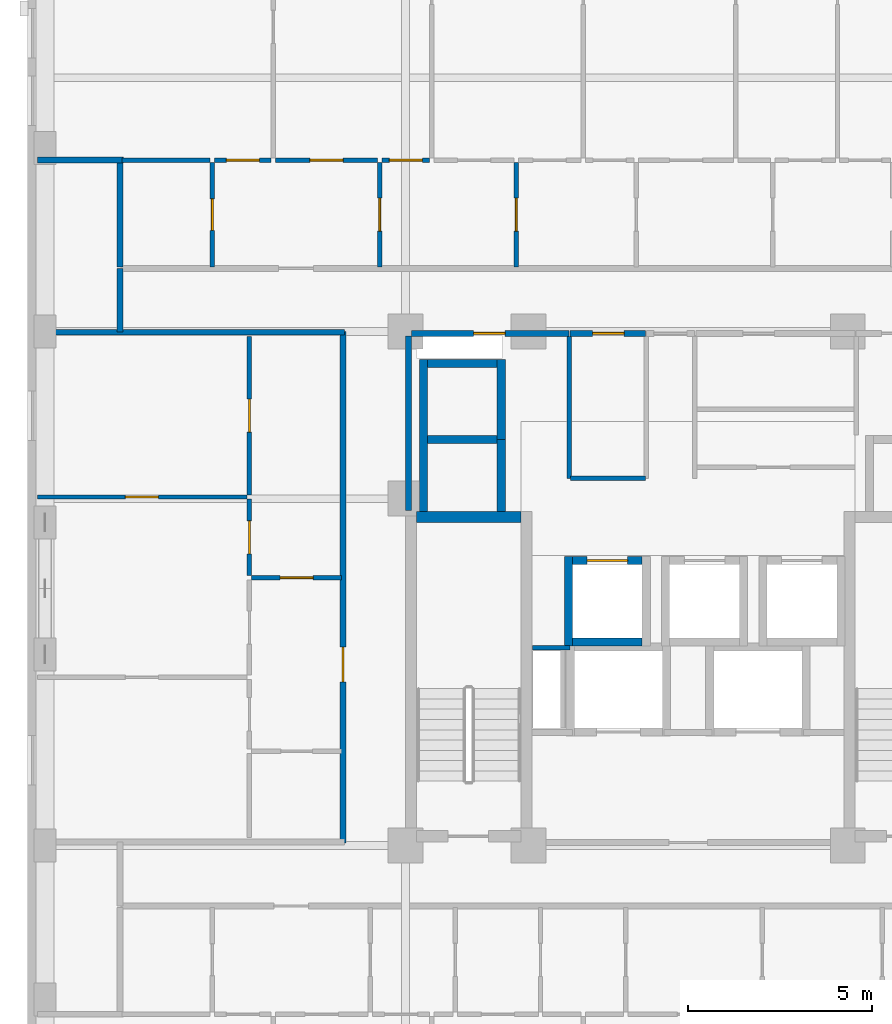
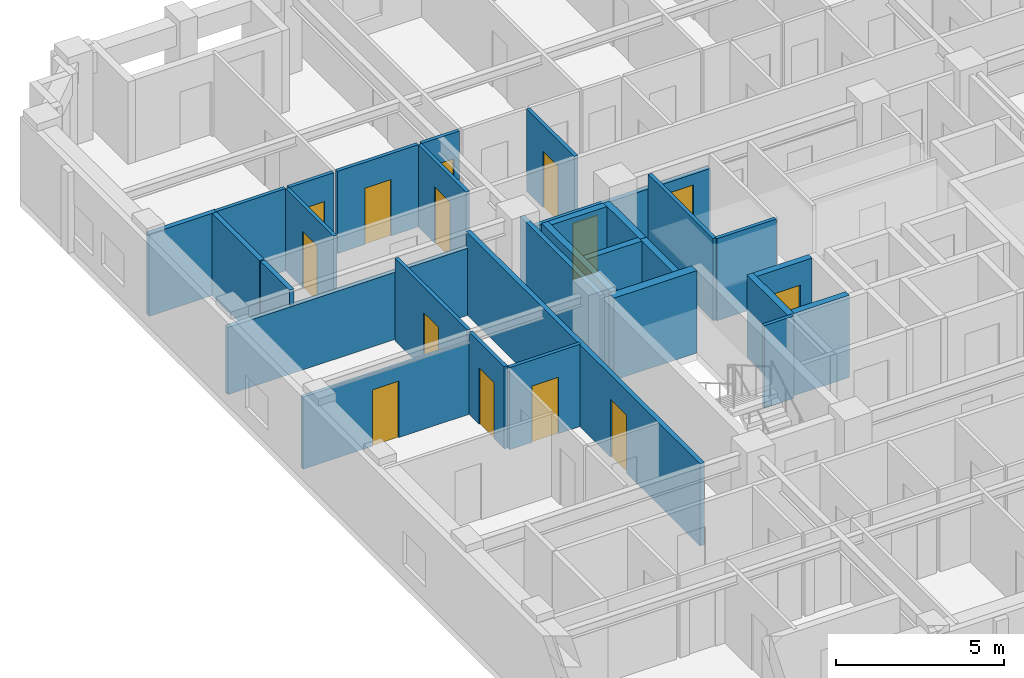
# One storey, part 5 of 11: 31 walls, 14 doors, 14 openings.
"""IFC4 building model written with IfcOpenShell, lengths in metres."""

from ifc_helpers import new_model, si_unit, derived_unit, direction, frame, frame_2d, origin, place, context, subcontext, project, spatial, rectangle, extrude, material, layer, layer_set, type_object, element, fill, save


model = new_model("IFC4")

# Units and contexts
model_context = context("Model", 3, precision=1e-05, world=origin(), true_north=direction((0.0, 1.0)))
body_context = subcontext(model_context, "Body", "Model", "MODEL_VIEW")
ifc_project = project(units=[si_unit("LENGTHUNIT", "METRE"), si_unit("AREAUNIT", "SQUARE_METRE"), si_unit("VOLUMEUNIT", "CUBIC_METRE"), si_unit("PLANEANGLEUNIT", "RADIAN"), si_unit("MASSUNIT", "GRAM", prefix="KILO"), derived_unit("THERMALTRANSMITTANCEUNIT", [(si_unit("MASSUNIT", "GRAM", prefix="KILO"), 1), (si_unit("TIMEUNIT", "SECOND"), -3), (si_unit("THERMODYNAMICTEMPERATUREUNIT", "KELVIN"), -1)])], contexts=[model_context])

# Site, building, storey
site_placement = place(None, origin())
site = spatial("IfcSite", under=ifc_project, at=site_placement, CompositionType="ELEMENT")
building_placement = place(site_placement, origin())
building = spatial("IfcBuilding", under=site, at=building_placement, Name="Korrvale Station Residences", CompositionType="ELEMENT")
storey_placement = place(building_placement, frame((0.0, 0.0, 150.39990234375)))
storey = spatial("IfcBuildingStorey", under=building, at=storey_placement, Name="L43", CompositionType="ELEMENT", Elevation=150.39990234375)

# Walls
ifc_material_1 = material(Name="Concrete C60/75", Category="concrete")
ifc_layer_1 = layer(ifc_material_1, 0.300048828125, Name="Concrete C60/75")
ifc_layer_set_1 = layer_set([ifc_layer_1], Name="Concrete C60/75")
wall_type_1 = type_object("IfcWallType", Name="WAL-CORE-300-C60", PredefinedType="SHEAR", material=ifc_layer_set_1)
wall_1_placement = place(storey_placement, frame((18.10009765625, 23.949951171875, 0.0), z_axis=(0.0, 0.0, 1.0), x_axis=(1.0, 0.0, 0.0)))
element("IfcWall", 1, at=wall_1_placement, inside=storey, type_object=wall_type_1, Name="L43 ST-1 Core Shear Wall North", PredefinedType="SHEAR", context=body_context, shape_type="SweptSolid", body=[
    extrude(rectangle(XDim=2.849853515625, YDim=0.300048828125, at=frame_2d((1.4248046875, 0.0))), origin(), (0.0, 0.0, 1.0), 2.989990234375),
])
ifc_material_2 = material(Name="Acoustic steel-stud gypsum board partition", Category="steel")
ifc_layer_2 = layer(ifc_material_2, 0.1201171875, Name="Acoustic steel-stud gypsum board partition")
ifc_layer_set_2 = layer_set([ifc_layer_2], Name="Acoustic steel-stud gypsum board partition")
wall_type_2 = type_object("IfcWallType", Name="WAL-PART-125", PredefinedType="PARTITIONING", material=ifc_layer_set_2)
wall_2_placement = place(storey_placement, frame((22.280029296875, 20.3798828125, 0.0), z_axis=(0.0, 0.0, 1.0), x_axis=(-1.0, 0.0, 0.0)))
element("IfcWall", 2, at=wall_2_placement, inside=storey, type_object=wall_type_2, Name="L43 Core Partition CW-RSWT-N", PredefinedType="PARTITIONING", context=body_context, shape_type="SweptSolid", body=[
    extrude(rectangle(XDim=1.02001953125, YDim=0.1201171875, at=frame_2d((0.510009765625, 0.0))), origin(), (0.0, 0.0, 1.0), 2.989990234375),
])
wall_3_placement = place(storey_placement, frame((22.260009765625, 25.0, 0.0), z_axis=(0.0, 0.0, 1.0), x_axis=(0.0, 1.0, 0.0)))
element("IfcWall", 3, at=wall_3_placement, inside=storey, type_object=wall_type_2, Name="L43 Core Partition CW-FPLW-W", PredefinedType="PARTITIONING", context=body_context, shape_type="SweptSolid", body=[
    extrude(rectangle(XDim=3.860107421875, YDim=0.1201171875, at=frame_2d((1.93017578125, 0.0))), origin(), (0.0, 0.0, 1.0), 2.989990234375),
])
wall_4_placement = place(storey_placement, frame((22.300048828125, 25.0, 0.0), z_axis=(0.0, 0.0, 1.0), x_axis=(1.0, 0.0, 0.0)))
element("IfcWall", 4, at=wall_4_placement, inside=storey, type_object=wall_type_2, Name="L43 Core Partition CW-FPLW-S", PredefinedType="PARTITIONING", context=body_context, shape_type="SweptSolid", body=[
    extrude(rectangle(XDim=2.0400390625, YDim=0.1201171875, at=frame_2d((1.02001953125, 0.0))), origin(), (0.0, 0.0, 1.0), 2.989990234375),
])

# Wall, opening, door
wall_5_placement = place(storey_placement, frame((12.5400390625, 30.760009765625, 0.0), z_axis=(0.0, 0.0, 1.0), x_axis=(0.0, 1.0, 0.0)))
wall_5 = element("IfcWall", 5, at=wall_5_placement, inside=storey, type_object=wall_type_2, Name="L43 Suite Partition U02-V01", PredefinedType="PARTITIONING", context=body_context, shape_type="SweptSolid", body=[
    extrude(rectangle(XDim=2.85009765625, YDim=0.1201171875, at=frame_2d((1.425048828125, 0.0))), origin(), (0.0, 0.0, 1.0), 2.989990234375),
])
opening_1_placement = place(wall_5_placement, frame((0.9951171875, 0.0, 0.0)))
opening_1 = element("IfcOpeningElement", 6, at=opening_1_placement, cuts=wall_5, Name="Opening DB-860", PredefinedType="OPENING", context=body_context, shape_type="SweptSolid", body=[
    extrude(rectangle(XDim=0.860107421875, YDim=2.050048828125, at=frame_2d((0.43017578125, 1.02490234375))), frame((0.0, 0.070068359375, 0.0), z_axis=(0.0, -1.0, 0.0), x_axis=(1.0, 0.0, 0.0)), (0.0, 0.0, 1.0), 0.14013671875),
])
ifc_material_3 = material(Name="Moisture-resistant solid-core bathroom door", Category="timber")
door_type_1 = type_object("IfcDoorType", Name="DR-BATH-860", OperationType="NOTDEFINED", PredefinedType="DOOR", material=ifc_material_3)
door_1_placement = place(opening_1_placement, origin())
door_1 = element("IfcDoor", 7, at=door_1_placement, inside=storey, type_object=door_type_1, Name="L43 Apartment 3BR L43-U02 Bathroom Door", OperationType="SINGLE_SWING_RIGHT", OverallHeight=2.050048828125, OverallWidth=0.860107421875, PredefinedType="DOOR", context=body_context, shape_type="SweptSolid", body=[
    extrude(rectangle(XDim=0.860107421875, YDim=2.050048828125, at=frame_2d((0.43017578125, 1.02490234375))), frame((0.0, 0.02490234375, 0.0), z_axis=(0.0, -1.0, 0.0), x_axis=(1.0, 0.0, 0.0)), (0.0, 0.0, 1.0), 0.050048828125),
])
fill(opening_1, door_1)

# Wall
wall_6_placement = place(storey_placement, frame((10.080078125, 33.669921875, 0.0), z_axis=(0.0, 0.0, 1.0), x_axis=(1.0, 0.0, 0.0)))
element("IfcWall", 8, at=wall_6_placement, inside=storey, type_object=wall_type_2, Name="L43 Suite Partition U02-H08", PredefinedType="PARTITIONING", context=body_context, shape_type="SweptSolid", body=[
    extrude(rectangle(XDim=2.39990234375, YDim=0.1201171875, at=frame_2d((1.199951171875, 0.0))), origin(), (0.0, 0.0, 1.0), 2.989990234375),
])

# Wall, opening, door
wall_7_placement = place(storey_placement, frame((17.10009765625, 30.760009765625, 0.0), z_axis=(0.0, 0.0, 1.0), x_axis=(0.0, 1.0, 0.0)))
wall_7 = element("IfcWall", 9, at=wall_7_placement, inside=storey, type_object=wall_type_2, Name="L43 Suite Partition U02-V12", PredefinedType="PARTITIONING", context=body_context, shape_type="SweptSolid", body=[
    extrude(rectangle(XDim=2.85009765625, YDim=0.1201171875, at=frame_2d((1.425048828125, 0.0))), origin(), (0.0, 0.0, 1.0), 2.989990234375),
])
opening_2_placement = place(wall_7_placement, frame((0.97509765625, 0.0, 0.0)))
opening_2 = element("IfcOpeningElement", 10, at=opening_2_placement, cuts=wall_7, Name="Opening DI-900", PredefinedType="OPENING", context=body_context, shape_type="SweptSolid", body=[
    extrude(rectangle(XDim=0.89990234375, YDim=2.050048828125, at=frame_2d((0.449951171875, 1.02490234375))), frame((0.0, 0.070068359375, 0.0), z_axis=(0.0, -1.0, 0.0), x_axis=(1.0, 0.0, 0.0)), (0.0, 0.0, 1.0), 0.14013671875),
])
ifc_material_4 = material(Name="Painted solid-core timber interior room door", Category="wood")
door_type_2 = type_object("IfcDoorType", Name="DR-INT-900", OperationType="NOTDEFINED", PredefinedType="DOOR", material=ifc_material_4)
door_2_placement = place(opening_2_placement, origin())
door_2 = element("IfcDoor", 11, at=door_2_placement, inside=storey, type_object=door_type_2, Name="L43 Apartment 3BR L43-U02 Kitchen Door", OperationType="SINGLE_SWING_LEFT", OverallHeight=2.050048828125, OverallWidth=0.89990234375, PredefinedType="DOOR", context=body_context, shape_type="SweptSolid", body=[
    extrude(rectangle(XDim=0.89990234375, YDim=2.050048828125, at=frame_2d((0.449951171875, 1.02490234375))), frame((0.0, 0.02490234375, 0.0), z_axis=(0.0, -1.0, 0.0), x_axis=(1.0, 0.0, 0.0)), (0.0, 0.0, 1.0), 0.050048828125),
])
fill(opening_2, door_2)

wall_8_placement = place(storey_placement, frame((12.60009765625, 33.669921875, 0.0), z_axis=(0.0, 0.0, 1.0), x_axis=(1.0, 0.0, 0.0)))
wall_8 = element("IfcWall", 12, at=wall_8_placement, inside=storey, type_object=wall_type_2, Name="L43 Suite Partition U02-H18", PredefinedType="PARTITIONING", context=body_context, shape_type="SweptSolid", body=[
    extrude(rectangle(XDim=1.539794921875, YDim=0.1201171875, at=frame_2d((0.77001953125, 0.0))), origin(), (0.0, 0.0, 1.0), 2.989990234375),
])
opening_3_placement = place(wall_8_placement, frame((0.320068359375, 0.0, 0.0)))
opening_3 = element("IfcOpeningElement", 13, at=opening_3_placement, cuts=wall_8, Name="Opening DI-900", PredefinedType="OPENING", context=body_context, shape_type="SweptSolid", body=[
    extrude(rectangle(XDim=0.89990234375, YDim=2.050048828125, at=frame_2d((0.449951171875, 1.02490234375))), frame((0.0, 0.070068359375, 0.0), z_axis=(0.0, -1.0, 0.0), x_axis=(1.0, 0.0, 0.0)), (0.0, 0.0, 1.0), 0.14013671875),
])
door_3_placement = place(opening_3_placement, origin())
door_3 = element("IfcDoor", 14, at=door_3_placement, inside=storey, type_object=door_type_2, Name="L43 Apartment 3BR L43-U02 Kitchen Door", OperationType="SINGLE_SWING_RIGHT", OverallHeight=2.050048828125, OverallWidth=0.89990234375, PredefinedType="DOOR", context=body_context, shape_type="SweptSolid", body=[
    extrude(rectangle(XDim=0.89990234375, YDim=2.050048828125, at=frame_2d((0.449951171875, 1.02490234375))), frame((0.0, 0.02490234375, 0.0), z_axis=(0.0, -1.0, 0.0), x_axis=(1.0, 0.0, 0.0)), (0.0, 0.0, 1.0), 0.050048828125),
])
fill(opening_3, door_3)

wall_9_placement = place(storey_placement, frame((14.260009765625, 33.669921875, 0.0), z_axis=(0.0, 0.0, 1.0), x_axis=(1.0, 0.0, 0.0)))
wall_9 = element("IfcWall", 15, at=wall_9_placement, inside=storey, type_object=wall_type_2, Name="L43 Suite Partition U02-H19", PredefinedType="PARTITIONING", context=body_context, shape_type="SweptSolid", body=[
    extrude(rectangle(XDim=2.780029296875, YDim=0.1201171875, at=frame_2d((1.39013671875, 0.0))), origin(), (0.0, 0.0, 1.0), 2.989990234375),
])
opening_4_placement = place(wall_9_placement, frame((0.93994140625, 0.0, 0.0)))
opening_4 = element("IfcOpeningElement", 16, at=opening_4_placement, cuts=wall_9, Name="Opening DI-900", PredefinedType="OPENING", context=body_context, shape_type="SweptSolid", body=[
    extrude(rectangle(XDim=0.89990234375, YDim=2.050048828125, at=frame_2d((0.449951171875, 1.02490234375))), frame((0.0, 0.070068359375, 0.0), z_axis=(0.0, -1.0, 0.0), x_axis=(1.0, 0.0, 0.0)), (0.0, 0.0, 1.0), 0.14013671875),
])
door_4_placement = place(opening_4_placement, origin())
door_4 = element("IfcDoor", 17, at=door_4_placement, inside=storey, type_object=door_type_2, Name="L43 Apartment 3BR L43-U02 Kitchen Door", OperationType="SINGLE_SWING_LEFT", OverallHeight=2.050048828125, OverallWidth=0.89990234375, PredefinedType="DOOR", context=body_context, shape_type="SweptSolid", body=[
    extrude(rectangle(XDim=0.89990234375, YDim=2.050048828125, at=frame_2d((0.449951171875, 1.02490234375))), frame((0.0, 0.02490234375, 0.0), z_axis=(0.0, -1.0, 0.0), x_axis=(1.0, 0.0, 0.0)), (0.0, 0.0, 1.0), 0.050048828125),
])
fill(opening_4, door_4)

wall_10_placement = place(storey_placement, frame((20.820068359375, 30.760009765625, 0.0), z_axis=(0.0, 0.0, 1.0), x_axis=(0.0, 1.0, 0.0)))
wall_10 = element("IfcWall", 18, at=wall_10_placement, inside=storey, type_object=wall_type_2, Name="L43 Suite Partition U02-V23", PredefinedType="PARTITIONING", context=body_context, shape_type="SweptSolid", body=[
    extrude(rectangle(XDim=2.85009765625, YDim=0.1201171875, at=frame_2d((1.425048828125, 0.0))), origin(), (0.0, 0.0, 1.0), 2.989990234375),
])
opening_5_placement = place(wall_10_placement, frame((0.97509765625, 0.0, 0.0)))
opening_5 = element("IfcOpeningElement", 19, at=opening_5_placement, cuts=wall_10, Name="Opening DI-900", PredefinedType="OPENING", context=body_context, shape_type="SweptSolid", body=[
    extrude(rectangle(XDim=0.89990234375, YDim=2.050048828125, at=frame_2d((0.449951171875, 1.02490234375))), frame((0.0, 0.070068359375, 0.0), z_axis=(0.0, -1.0, 0.0), x_axis=(1.0, 0.0, 0.0)), (0.0, 0.0, 1.0), 0.14013671875),
])
door_5_placement = place(opening_5_placement, origin())
door_5 = element("IfcDoor", 20, at=door_5_placement, inside=storey, type_object=door_type_2, Name="L43 Apartment 3BR L43-U02 Utility and Laundry Room Door", OperationType="SINGLE_SWING_RIGHT", OverallHeight=2.050048828125, OverallWidth=0.89990234375, PredefinedType="DOOR", context=body_context, shape_type="SweptSolid", body=[
    extrude(rectangle(XDim=0.89990234375, YDim=2.050048828125, at=frame_2d((0.449951171875, 1.02490234375))), frame((0.0, 0.02490234375, 0.0), z_axis=(0.0, -1.0, 0.0), x_axis=(1.0, 0.0, 0.0)), (0.0, 0.0, 1.0), 0.050048828125),
])
fill(opening_5, door_5)

wall_11_placement = place(storey_placement, frame((17.159912109375, 33.669921875, 0.0), z_axis=(0.0, 0.0, 1.0), x_axis=(1.0, 0.0, 0.0)))
wall_11 = element("IfcWall", 21, at=wall_11_placement, inside=storey, type_object=wall_type_2, Name="L43 Suite Partition U02-H29", PredefinedType="PARTITIONING", context=body_context, shape_type="SweptSolid", body=[
    extrude(rectangle(XDim=1.300048828125, YDim=0.1201171875, at=frame_2d((0.64990234375, 0.0))), origin(), (0.0, 0.0, 1.0), 2.989990234375),
])
opening_6_placement = place(wall_11_placement, frame((0.199951171875, 0.0, 0.0)))
opening_6 = element("IfcOpeningElement", 22, at=opening_6_placement, cuts=wall_11, Name="Opening DI-900", PredefinedType="OPENING", context=body_context, shape_type="SweptSolid", body=[
    extrude(rectangle(XDim=0.89990234375, YDim=2.050048828125, at=frame_2d((0.449951171875, 1.02490234375))), frame((0.0, 0.070068359375, 0.0), z_axis=(0.0, -1.0, 0.0), x_axis=(1.0, 0.0, 0.0)), (0.0, 0.0, 1.0), 0.14013671875),
])
door_6_placement = place(opening_6_placement, origin())
door_6 = element("IfcDoor", 23, at=door_6_placement, inside=storey, type_object=door_type_2, Name="L43 Apartment 3BR L43-U02 Utility and Laundry Room Door", OperationType="SINGLE_SWING_LEFT", OverallHeight=2.050048828125, OverallWidth=0.89990234375, PredefinedType="DOOR", context=body_context, shape_type="SweptSolid", body=[
    extrude(rectangle(XDim=0.89990234375, YDim=2.050048828125, at=frame_2d((0.449951171875, 1.02490234375))), frame((0.0, 0.02490234375, 0.0), z_axis=(0.0, -1.0, 0.0), x_axis=(1.0, 0.0, 0.0)), (0.0, 0.0, 1.0), 0.050048828125),
])
fill(opening_6, door_6)

wall_12_placement = place(storey_placement, frame((13.610107421875, 22.2900390625, 0.0), z_axis=(0.0, 0.0, 1.0), x_axis=(1.0, 0.0, 0.0)))
wall_12 = element("IfcWall", 24, at=wall_12_placement, inside=storey, type_object=wall_type_2, Name="L43 Suite Partition U03-H02", PredefinedType="PARTITIONING", context=body_context, shape_type="SweptSolid", body=[
    extrude(rectangle(XDim=2.449951171875, YDim=0.1201171875, at=frame_2d((1.22509765625, 0.0))), origin(), (0.0, 0.0, 1.0), 2.989990234375),
])
opening_7_placement = place(wall_12_placement, frame((0.77490234375, 0.0, 0.0)))
opening_7 = element("IfcOpeningElement", 25, at=opening_7_placement, cuts=wall_12, Name="Opening DI-900", PredefinedType="OPENING", context=body_context, shape_type="SweptSolid", body=[
    extrude(rectangle(XDim=0.89990234375, YDim=2.050048828125, at=frame_2d((0.449951171875, 1.02490234375))), frame((0.0, 0.070068359375, 0.0), z_axis=(0.0, -1.0, 0.0), x_axis=(1.0, 0.0, 0.0)), (0.0, 0.0, 1.0), 0.14013671875),
])
door_7_placement = place(opening_7_placement, origin())
door_7 = element("IfcDoor", 26, at=door_7_placement, inside=storey, type_object=door_type_2, Name="L43 Apartment 2BR L43-U03 Wardrobe Storage Room Door", OperationType="SINGLE_SWING_RIGHT", OverallHeight=2.050048828125, OverallWidth=0.89990234375, PredefinedType="DOOR", context=body_context, shape_type="SweptSolid", body=[
    extrude(rectangle(XDim=0.89990234375, YDim=2.050048828125, at=frame_2d((0.449951171875, 1.02490234375))), frame((0.0, 0.02490234375, 0.0), z_axis=(0.0, -1.0, 0.0), x_axis=(1.0, 0.0, 0.0)), (0.0, 0.0, 1.0), 0.050048828125),
])
fill(opening_7, door_7)

wall_13_placement = place(storey_placement, frame((13.550048828125, 22.35009765625, 0.0), z_axis=(0.0, 0.0, 1.0), x_axis=(0.0, 1.0, 0.0)))
wall_13 = element("IfcWall", 27, at=wall_13_placement, inside=storey, type_object=wall_type_2, Name="L43 Suite Partition U03-V04", PredefinedType="PARTITIONING", context=body_context, shape_type="SweptSolid", body=[
    extrude(rectangle(XDim=2.081787109375, YDim=0.1201171875, at=frame_2d((1.041015625, 0.0))), origin(), (0.0, 0.0, 1.0), 2.989990234375),
])
opening_8_placement = place(wall_13_placement, frame((0.591064453125, 0.0, 0.0)))
opening_8 = element("IfcOpeningElement", 28, at=opening_8_placement, cuts=wall_13, Name="Opening DI-900", PredefinedType="OPENING", context=body_context, shape_type="SweptSolid", body=[
    extrude(rectangle(XDim=0.89990234375, YDim=2.050048828125, at=frame_2d((0.449951171875, 1.02490234375))), frame((0.0, 0.070068359375, 0.0), z_axis=(0.0, -1.0, 0.0), x_axis=(1.0, 0.0, 0.0)), (0.0, 0.0, 1.0), 0.14013671875),
])
door_8_placement = place(opening_8_placement, origin())
door_8 = element("IfcDoor", 29, at=door_8_placement, inside=storey, type_object=door_type_2, Name="L43 Apartment 2BR L43-U03 Wardrobe Storage Room Door", OperationType="SINGLE_SWING_LEFT", OverallHeight=2.050048828125, OverallWidth=0.89990234375, PredefinedType="DOOR", context=body_context, shape_type="SweptSolid", body=[
    extrude(rectangle(XDim=0.89990234375, YDim=2.050048828125, at=frame_2d((0.449951171875, 1.02490234375))), frame((0.0, 0.02490234375, 0.0), z_axis=(0.0, -1.0, 0.0), x_axis=(1.0, 0.0, 0.0)), (0.0, 0.0, 1.0), 0.050048828125),
])
fill(opening_8, door_8)

wall_14_placement = place(storey_placement, frame((13.550048828125, 24.552001953125, 0.0), z_axis=(0.0, 0.0, 1.0), x_axis=(0.0, 1.0, 0.0)))
wall_14 = element("IfcWall", 30, at=wall_14_placement, inside=storey, type_object=wall_type_2, Name="L43 Suite Partition U03-V05", PredefinedType="PARTITIONING", context=body_context, shape_type="SweptSolid", body=[
    extrude(rectangle(XDim=4.30810546875, YDim=0.1201171875, at=frame_2d((2.154052734375, 0.0))), origin(), (0.0, 0.0, 1.0), 2.989990234375),
])
opening_9_placement = place(wall_14_placement, frame((1.7041015625, 0.0, 0.0)))
opening_9 = element("IfcOpeningElement", 31, at=opening_9_placement, cuts=wall_14, Name="Opening DI-900", PredefinedType="OPENING", context=body_context, shape_type="SweptSolid", body=[
    extrude(rectangle(XDim=0.89990234375, YDim=2.050048828125, at=frame_2d((0.449951171875, 1.02490234375))), frame((0.0, 0.070068359375, 0.0), z_axis=(0.0, -1.0, 0.0), x_axis=(1.0, 0.0, 0.0)), (0.0, 0.0, 1.0), 0.14013671875),
])
door_9_placement = place(opening_9_placement, origin())
door_9 = element("IfcDoor", 32, at=door_9_placement, inside=storey, type_object=door_type_2, Name="L43 Apartment 2BR L43-U03 Wardrobe Storage Room Door", OperationType="SINGLE_SWING_RIGHT", OverallHeight=2.050048828125, OverallWidth=0.89990234375, PredefinedType="DOOR", context=body_context, shape_type="SweptSolid", body=[
    extrude(rectangle(XDim=0.89990234375, YDim=2.050048828125, at=frame_2d((0.449951171875, 1.02490234375))), frame((0.0, 0.02490234375, 0.0), z_axis=(0.0, -1.0, 0.0), x_axis=(1.0, 0.0, 0.0)), (0.0, 0.0, 1.0), 0.050048828125),
])
fill(opening_9, door_9)

wall_15_placement = place(storey_placement, frame((7.780029296875, 24.491943359375, 0.0), z_axis=(0.0, 0.0, 1.0), x_axis=(1.0, 0.0, 0.0)))
wall_15 = element("IfcWall", 33, at=wall_15_placement, inside=storey, type_object=wall_type_2, Name="L43 Suite Partition U03-H45", PredefinedType="PARTITIONING", context=body_context, shape_type="SweptSolid", body=[
    extrude(rectangle(XDim=5.7099609375, YDim=0.1201171875, at=frame_2d((2.85498046875, 0.0))), origin(), (0.0, 0.0, 1.0), 2.62109375),
])
opening_10_placement = place(wall_15_placement, frame((2.389892578125, 0.0, 0.0)))
opening_10 = element("IfcOpeningElement", 34, at=opening_10_placement, cuts=wall_15, Name="Opening DI-900", PredefinedType="OPENING", context=body_context, shape_type="SweptSolid", body=[
    extrude(rectangle(XDim=0.89990234375, YDim=2.050048828125, at=frame_2d((0.449951171875, 1.02490234375))), frame((0.0, 0.070068359375, 0.0), z_axis=(0.0, -1.0, 0.0), x_axis=(1.0, 0.0, 0.0)), (0.0, 0.0, 1.0), 0.14013671875),
])
door_10_placement = place(opening_10_placement, origin())
door_10 = element("IfcDoor", 35, at=door_10_placement, inside=storey, type_object=door_type_2, Name="L43 Apartment 2BR L43-U03 Living and Dining Room Door", OperationType="SINGLE_SWING_LEFT", OverallHeight=2.050048828125, OverallWidth=0.89990234375, PredefinedType="DOOR", context=body_context, shape_type="SweptSolid", body=[
    extrude(rectangle(XDim=0.89990234375, YDim=2.050048828125, at=frame_2d((0.449951171875, 1.02490234375))), frame((0.0, 0.02490234375, 0.0), z_axis=(0.0, -1.0, 0.0), x_axis=(1.0, 0.0, 0.0)), (0.0, 0.0, 1.0), 0.050048828125),
])
fill(opening_10, door_10)

# Wall
ifc_material_5 = material(Name="Fire-rated twin-stud gypsum and mineral wool shaftwall assembly", Category="gypsum")
ifc_layer_3 = layer(ifc_material_5, 0.159912109375, Name="Fire-rated twin-stud gypsum and mineral wool shaftwall assembly")
ifc_layer_set_3 = layer_set([ifc_layer_3], Name="Fire-rated twin-stud gypsum and mineral wool shaftwall assembly")
wall_type_3 = type_object("IfcWallType", Name="WAL-PART-200", PredefinedType="PARTITIONING", material=ifc_layer_set_3)
wall_16_placement = place(storey_placement, frame((17.8798828125, 24.1201171875, 0.0), z_axis=(0.0, 0.0, 1.0), x_axis=(0.0, 1.0, 0.0)))
element("IfcWall", 36, at=wall_16_placement, inside=storey, type_object=wall_type_3, Name="L43 Core Partition CW-W-N", PredefinedType="PARTITIONING", context=body_context, shape_type="SweptSolid", body=[
    extrude(rectangle(XDim=4.759765625, YDim=0.159912109375, at=frame_2d((2.3798828125, 0.0))), origin(), (0.0, 0.0, 1.0), 2.989990234375),
])

# Wall, opening, door
wall_17_placement = place(storey_placement, frame((17.9599609375, 28.949951171875, 0.0), z_axis=(0.0, 0.0, 1.0), x_axis=(1.0, 0.0, 0.0)))
wall_17 = element("IfcWall", 37, at=wall_17_placement, inside=storey, type_object=wall_type_3, Name="L43 Core Partition CW-NW", PredefinedType="PARTITIONING", context=body_context, shape_type="SweptSolid", body=[
    extrude(rectangle(XDim=4.2900390625, YDim=0.159912109375, at=frame_2d((2.14501953125, 0.0))), origin(), (0.0, 0.0, 1.0), 2.442138671875),
])
opening_11_placement = place(wall_17_placement, frame((1.695068359375, 0.0, 0.0)))
opening_11 = element("IfcOpeningElement", 38, at=opening_11_placement, cuts=wall_17, Name="Opening DB-860", PredefinedType="OPENING", context=body_context, shape_type="SweptSolid", body=[
    extrude(rectangle(XDim=0.860107421875, YDim=2.050048828125, at=frame_2d((0.43017578125, 1.02490234375))), frame((0.0, 0.08984375, 0.0), z_axis=(0.0, -1.0, 0.0), x_axis=(1.0, 0.0, 0.0)), (0.0, 0.0, 1.0), 0.179931640625),
])
door_11_placement = place(opening_11_placement, origin())
door_11 = element("IfcDoor", 39, at=door_11_placement, inside=storey, type_object=door_type_1, Name="L43 Electrical Riser Access Door", OperationType="SINGLE_SWING_RIGHT", OverallHeight=2.050048828125, OverallWidth=0.860107421875, PredefinedType="DOOR", context=body_context, shape_type="SweptSolid", body=[
    extrude(rectangle(XDim=0.860107421875, YDim=2.050048828125, at=frame_2d((0.43017578125, 1.02490234375))), frame((0.0, 0.02490234375, 0.0), z_axis=(0.0, -1.0, 0.0), x_axis=(1.0, 0.0, 0.0)), (0.0, 0.0, 1.0), 0.050048828125),
])
fill(opening_11, door_11)

wall_18_placement = place(storey_placement, frame((22.280029296875, 28.949951171875, 0.0), z_axis=(0.0, 0.0, 1.0), x_axis=(1.0, 0.0, 0.0)))
wall_18 = element("IfcWall", 40, at=wall_18_placement, inside=storey, type_object=wall_type_3, Name="L43 Core Partition CW-FPLW-N", PredefinedType="PARTITIONING", context=body_context, shape_type="SweptSolid", body=[
    extrude(rectangle(XDim=2.06005859375, YDim=0.159912109375, at=frame_2d((1.030029296875, 0.0))), origin(), (0.0, 0.0, 1.0), 2.442138671875),
])
opening_12_placement = place(wall_18_placement, frame((0.6201171875, 0.0, 0.0)))
opening_12 = element("IfcOpeningElement", 41, at=opening_12_placement, cuts=wall_18, Name="Opening DB-860", PredefinedType="OPENING", context=body_context, shape_type="SweptSolid", body=[
    extrude(rectangle(XDim=0.860107421875, YDim=2.050048828125, at=frame_2d((0.43017578125, 1.02490234375))), frame((0.0, 0.08984375, 0.0), z_axis=(0.0, -1.0, 0.0), x_axis=(1.0, 0.0, 0.0)), (0.0, 0.0, 1.0), 0.179931640625),
])
door_12_placement = place(opening_12_placement, origin())
door_12 = element("IfcDoor", 42, at=door_12_placement, inside=storey, type_object=door_type_1, Name="L43 Resident Parcel Room Door", OperationType="SINGLE_SWING_LEFT", OverallHeight=2.050048828125, OverallWidth=0.860107421875, PredefinedType="DOOR", context=body_context, shape_type="SweptSolid", body=[
    extrude(rectangle(XDim=0.860107421875, YDim=2.050048828125, at=frame_2d((0.43017578125, 1.02490234375))), frame((0.0, 0.02490234375, 0.0), z_axis=(0.0, -1.0, 0.0), x_axis=(1.0, 0.0, 0.0)), (0.0, 0.0, 1.0), 0.050048828125),
])
fill(opening_12, door_12)

# Walls
wall_19_placement = place(storey_placement, frame((10.02001953125, 28.97998046875, 0.0), z_axis=(0.0, 0.0, 1.0), x_axis=(0.0, 1.0, 0.0)))
element("IfcWall", 43, at=wall_19_placement, inside=storey, type_object=wall_type_3, Name="L43 Corridor North West Cap", PredefinedType="PARTITIONING", context=body_context, shape_type="SweptSolid", body=[
    extrude(rectangle(XDim=1.739990234375, YDim=0.159912109375, at=frame_2d((0.8701171875, 0.0))), origin(), (0.0, 0.0, 1.0), 2.989990234375),
])
wall_20_placement = place(storey_placement, frame((7.780029296875, 28.97998046875, 0.0), z_axis=(0.0, 0.0, 1.0), x_axis=(1.0, 0.0, 0.0)))
element("IfcWall", 44, at=wall_20_placement, inside=storey, type_object=wall_type_3, Name="L43 West Wing North Corridor Wall", PredefinedType="PARTITIONING", context=body_context, shape_type="SweptSolid", body=[
    extrude(rectangle(XDim=8.35986328125, YDim=0.159912109375, at=frame_2d((4.179931640625, 0.0))), origin(), (0.0, 0.0, 1.0), 2.442138671875),
])
wall_21_placement = place(storey_placement, frame((7.780029296875, 33.669921875, 0.0), z_axis=(0.0, 0.0, 1.0), x_axis=(1.0, 0.0, 0.0)))
element("IfcWall", 45, at=wall_21_placement, inside=storey, type_object=wall_type_3, Name="L43 Corner Step Wall U02-L", PredefinedType="PARTITIONING", context=body_context, shape_type="SweptSolid", body=[
    extrude(rectangle(XDim=2.340087890625, YDim=0.159912109375, at=frame_2d((1.169921875, 0.0))), origin(), (0.0, 0.0, 1.0), 2.989990234375),
])
wall_22_placement = place(storey_placement, frame((10.02001953125, 30.760009765625, 0.0), z_axis=(0.0, 0.0, 1.0), x_axis=(0.0, 1.0, 0.0)))
element("IfcWall", 46, at=wall_22_placement, inside=storey, type_object=wall_type_3, Name="L43 Corner Step Cheek U02-L", PredefinedType="PARTITIONING", context=body_context, shape_type="SweptSolid", body=[
    extrude(rectangle(XDim=2.909912109375, YDim=0.159912109375, at=frame_2d((1.455078125, 0.0))), origin(), (0.0, 0.0, 1.0), 2.989990234375),
])

# Wall, opening, door
wall_23_placement = place(storey_placement, frame((16.10009765625, 15.070068359375, 0.0), z_axis=(0.0, 0.0, 1.0), x_axis=(0.0, 1.0, 0.0)))
wall_23 = element("IfcWall", 47, at=wall_23_placement, inside=storey, type_object=wall_type_3, Name="L43 Rated Corridor Wall W", PredefinedType="PARTITIONING", context=body_context, shape_type="SweptSolid", body=[
    extrude(rectangle(XDim=13.929931640625, YDim=0.159912109375, at=frame_2d((6.96484375, 0.0))), origin(), (0.0, 0.0, 1.0), 2.989990234375),
])
opening_13_placement = place(wall_23_placement, frame((4.385009765625, 0.0, 0.0)))
opening_13 = element("IfcOpeningElement", 48, at=opening_13_placement, cuts=wall_23, Name="Opening UD-950", PredefinedType="OPENING", context=body_context, shape_type="SweptSolid", body=[
    extrude(rectangle(XDim=0.949951171875, YDim=2.10009765625, at=frame_2d((0.47509765625, 1.050048828125))), frame((0.0, 0.08984375, 0.0), z_axis=(0.0, -1.0, 0.0), x_axis=(1.0, 0.0, 0.0)), (0.0, 0.0, 1.0), 0.179931640625),
])
ifc_material_6 = material(Name="Solid-core acoustic oak apartment entrance door", Category="timber")
door_type_3 = type_object("IfcDoorType", Name="DR-UNIT-950", OperationType="NOTDEFINED", PredefinedType="DOOR", material=ifc_material_6)
door_13_placement = place(opening_13_placement, origin())
door_13 = element("IfcDoor", 49, at=door_13_placement, inside=storey, type_object=door_type_3, Name="L43 Apartment L43-U03 Entrance Door", OperationType="SINGLE_SWING_LEFT", OverallHeight=2.10009765625, OverallWidth=0.949951171875, PredefinedType="DOOR", context=body_context, shape_type="SweptSolid", body=[
    extrude(rectangle(XDim=0.949951171875, YDim=2.10009765625, at=frame_2d((0.47509765625, 1.050048828125))), frame((0.0, 0.02490234375, 0.0), z_axis=(0.0, -1.0, 0.0), x_axis=(1.0, 0.0, 0.0)), (0.0, 0.0, 1.0), 0.050048828125),
])
fill(opening_13, door_13)

# Wall
ifc_layer_4 = layer(ifc_material_1, 0.219970703125, Name="Concrete C60/75")
ifc_layer_set_4 = layer_set([ifc_layer_4], Name="Concrete C60/75")
wall_type_4 = type_object("IfcWallType", Name="WAL-SHAFT-220-C60", PredefinedType="SHEAR", material=ifc_layer_set_4)
wall_24_placement = place(storey_placement, frame((22.35009765625, 20.5400390625, 0.0), z_axis=(0.0, 0.0, 1.0), x_axis=(1.0, 0.0, 0.0)))
element("IfcWall", 50, at=wall_24_placement, inside=storey, type_object=wall_type_4, Name="L43 Elevator PM-1 Hoistway Wall South", PredefinedType="SHEAR", context=body_context, shape_type="SweptSolid", body=[
    extrude(rectangle(XDim=1.89990234375, YDim=0.219970703125, at=frame_2d((0.949951171875, 0.0))), origin(), (0.0, 0.0, 1.0), 2.989990234375),
])

# Wall, opening, door
wall_25_placement = place(storey_placement, frame((22.35009765625, 22.760009765625, 0.0), z_axis=(0.0, 0.0, 1.0), x_axis=(1.0, 0.0, 0.0)))
wall_25 = element("IfcWall", 51, at=wall_25_placement, inside=storey, type_object=wall_type_4, Name="L43 Elevator PM-1 Hoistway Wall North", PredefinedType="SHEAR", context=body_context, shape_type="SweptSolid", body=[
    extrude(rectangle(XDim=1.89990234375, YDim=0.219970703125, at=frame_2d((0.949951171875, 0.0))), origin(), (0.0, 0.0, 1.0), 2.989990234375),
])
opening_14_placement = place(wall_25_placement, frame((0.39990234375, 0.0, 0.0)))
opening_14 = element("IfcOpeningElement", 52, at=opening_14_placement, cuts=wall_25, Name="Opening LD-1100", PredefinedType="OPENING", context=body_context, shape_type="SweptSolid", body=[
    extrude(rectangle(XDim=1.10009765625, YDim=2.14990234375, at=frame_2d((0.550048828125, 1.074951171875))), frame((0.0, 0.1201171875, 0.0), z_axis=(0.0, -1.0, 0.0), x_axis=(1.0, 0.0, 0.0)), (0.0, 0.0, 1.0), 0.239990234375),
])
ifc_material_7 = material(Name="Brushed stainless-steel elevator landing sliding door", Category="steel")
door_type_4 = type_object("IfcDoorType", Name="DR-LIFT-1100", OperationType="SLIDING_TO_LEFT", PredefinedType="DOOR", material=ifc_material_7)
door_14_placement = place(opening_14_placement, origin())
door_14 = element("IfcDoor", 53, at=door_14_placement, inside=storey, type_object=door_type_4, Name="L43 Elevator PM-1 Sliding Landing Door", OperationType="SLIDING_TO_LEFT", OverallHeight=2.14990234375, OverallWidth=1.10009765625, PredefinedType="DOOR", context=body_context, shape_type="SweptSolid", body=[
    extrude(rectangle(XDim=1.10009765625, YDim=2.14990234375, at=frame_2d((0.550048828125, 1.074951171875))), frame((0.0, 0.02490234375, 0.0), z_axis=(0.0, -1.0, 0.0), x_axis=(1.0, 0.0, 0.0)), (0.0, 0.0, 1.0), 0.050048828125),
])
fill(opening_14, door_14)

# Walls
wall_26_placement = place(storey_placement, frame((22.239990234375, 20.429931640625, 0.0), z_axis=(0.0, 0.0, 1.0), x_axis=(0.0, 1.0, 0.0)))
element("IfcWall", 54, at=wall_26_placement, inside=storey, type_object=wall_type_4, Name="L43 Elevator PM-1 Hoistway Wall West", PredefinedType="SHEAR", context=body_context, shape_type="SweptSolid", body=[
    extrude(rectangle(XDim=2.440185546875, YDim=0.219970703125, at=frame_2d((1.22021484375, 0.0))), origin(), (0.0, 0.0, 1.0), 2.989990234375),
])
wall_27_placement = place(storey_placement, frame((18.2900390625, 24.10009765625, 0.0), z_axis=(0.0, 0.0, 1.0), x_axis=(0.0, 1.0, 0.0)))
element("IfcWall", 55, at=wall_27_placement, inside=storey, type_object=wall_type_4, Name="L43 Elevator PH-1 Hoistway Wall West", PredefinedType="SHEAR", context=body_context, shape_type="SweptSolid", body=[
    extrude(rectangle(XDim=4.139892578125, YDim=0.219970703125, at=frame_2d((2.06982421875, 0.0))), origin(), (0.0, 0.0, 1.0), 2.989990234375),
])
wall_28_placement = place(storey_placement, frame((20.409912109375, 24.10009765625, 0.0), z_axis=(0.0, 0.0, 1.0), x_axis=(0.0, 1.0, 0.0)))
element("IfcWall", 56, at=wall_28_placement, inside=storey, type_object=wall_type_4, Name="L43 Elevator PH-1 Hoistway Wall East", PredefinedType="SHEAR", context=body_context, shape_type="SweptSolid", body=[
    extrude(rectangle(XDim=1.9599609375, YDim=0.219970703125, at=frame_2d((0.97998046875, 0.0))), origin(), (0.0, 0.0, 1.0), 2.989990234375),
])
for number, where, z_axis, x_axis, name in (
    (57, (18.39990234375, 26.06005859375, 0.0), (0.0, 0.0, 1.0), (1.0, 0.0, 0.0), "L43 Elevator PH-2 Hoistway Wall South"),
    (58, (18.39990234375, 28.1298828125, 0.0), (0.0, 0.0, 1.0), (1.0, 0.0, 0.0), "L43 Elevator PH-2 Hoistway Wall North"),
):
    element("IfcWall", number, at=place(storey_placement, frame(where, z_axis=z_axis, x_axis=x_axis)), inside=storey, type_object=wall_type_4, Name=name, PredefinedType="SHEAR", context=body_context, shape_type="SweptSolid", body=[
        extrude(rectangle(XDim=1.900146484375, YDim=0.219970703125, at=frame_2d((0.9501953125, 0.0))), origin(), (0.0, 0.0, 1.0), 2.989990234375),
    ])
wall_29_placement = place(storey_placement, frame((20.409912109375, 26.06005859375, 0.0), z_axis=(0.0, 0.0, 1.0), x_axis=(0.0, 1.0, 0.0)))
element("IfcWall", 59, at=wall_29_placement, inside=storey, type_object=wall_type_4, Name="L43 Elevator PH-2 Hoistway Wall East", PredefinedType="SHEAR", context=body_context, shape_type="SweptSolid", body=[
    extrude(rectangle(XDim=2.179931640625, YDim=0.219970703125, at=frame_2d((1.08984375, 0.0))), origin(), (0.0, 0.0, 1.0), 2.989990234375),
])

save(model, "model.ifc")
